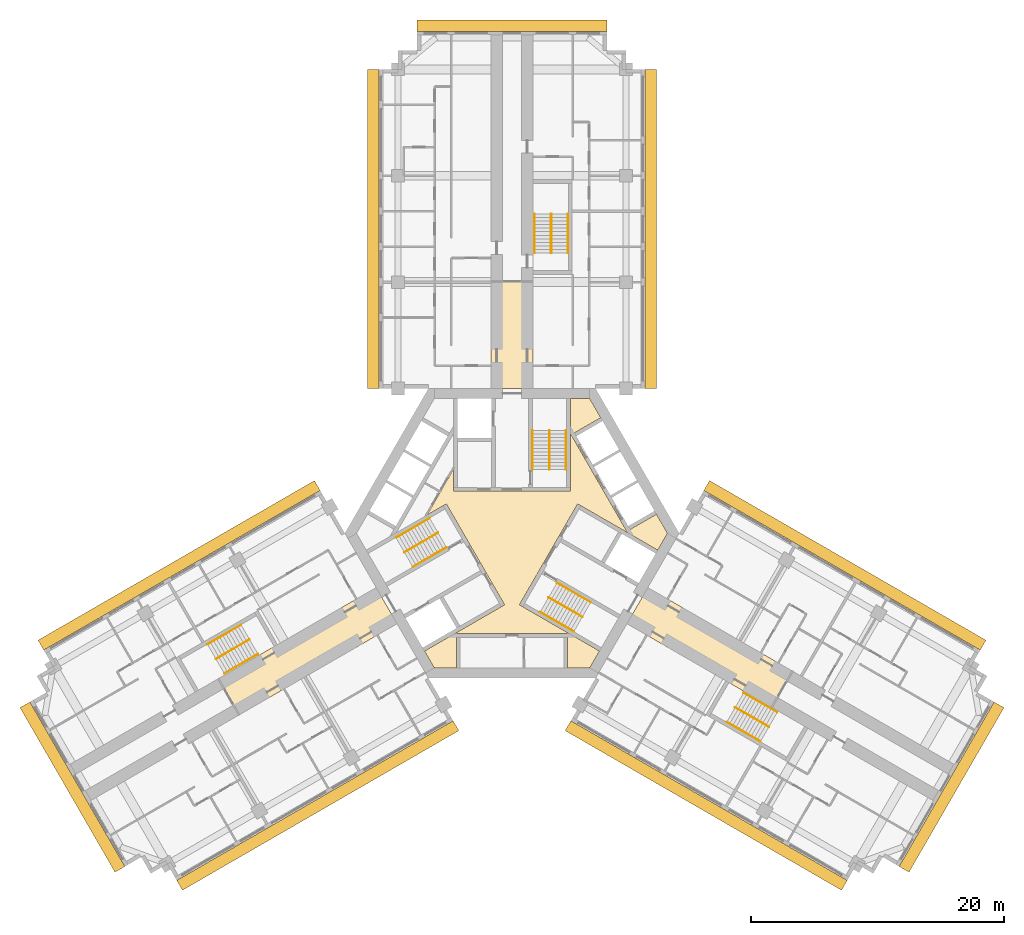
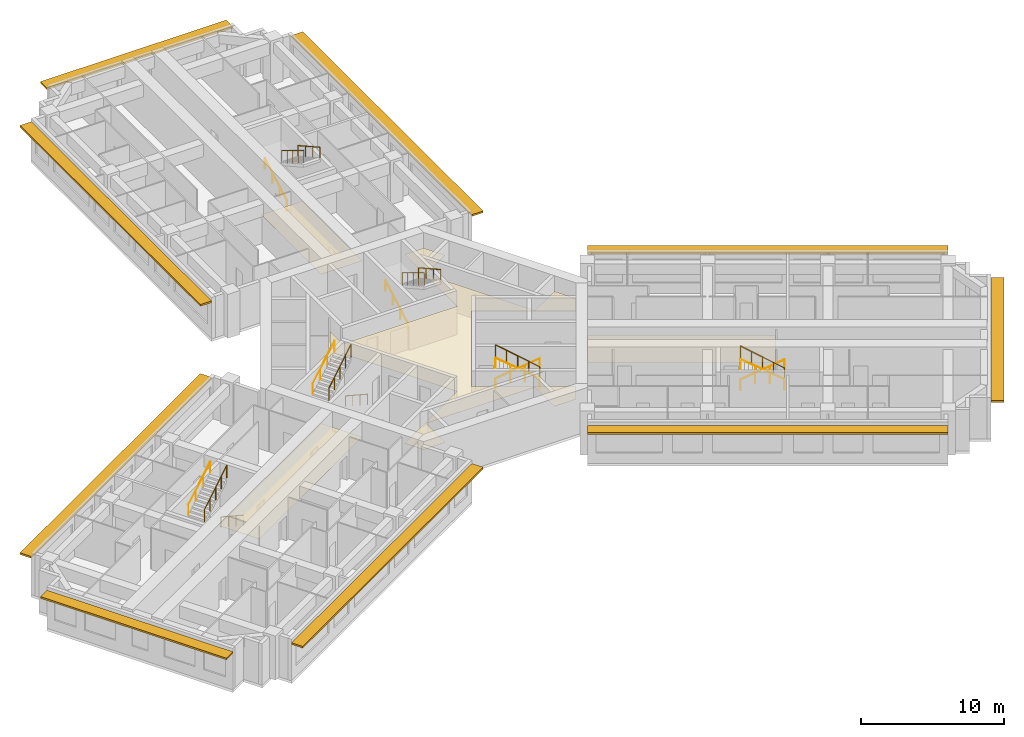
# One storey, part 12 of 12: 18 railings, 4 coverings, 3 shading devices.
"""IFC4 building model written with IfcOpenShell, lengths in metres."""

from ifc_helpers import new_model, si_unit, direction, frame, origin, origin_2d, place, context, subcontext, project, spatial, polyline, rectangle, circle, outline, extrude, material, layer, layer_set, type_object, element, save


model = new_model("IFC4")

# Units and contexts
model_context = context("Model", 3, precision=1e-05, world=origin(), true_north=direction((0.0, 1.0)))
body_context = subcontext(model_context, "Body", "Model", "MODEL_VIEW")
ifc_project = project(units=[si_unit("LENGTHUNIT", "METRE"), si_unit("AREAUNIT", "SQUARE_METRE"), si_unit("VOLUMEUNIT", "CUBIC_METRE"), si_unit("PLANEANGLEUNIT", "RADIAN"), si_unit("MASSUNIT", "GRAM", prefix="KILO")], contexts=[model_context])

# Site, building, storey
site_placement = place(None, origin())
site = spatial("IfcSite", under=ifc_project, at=site_placement, CompositionType="ELEMENT")
building_placement = place(site_placement, origin())
building = spatial("IfcBuilding", under=site, at=building_placement, Name="Impinga Residences", CompositionType="ELEMENT")
storey_placement = place(building_placement, frame((0.0, 0.0, 173.5)))
storey = spatial("IfcBuildingStorey", under=building, at=storey_placement, Name="L43", CompositionType="ELEMENT", Elevation=173.5)

# Coverings
ifc_material_1 = material(Name="Plasterboard 15 mm on steel hangers", Category="steel")
ifc_layer_1 = layer(ifc_material_1, 0.014892578125)
ifc_layer_set_1 = layer_set([ifc_layer_1], Name="Plasterboard 15 mm on steel hangers")
covering_type_1 = type_object("IfcCoveringType", Name="CL1 corridor ceiling, 15 mm plasterboard on hangers", PredefinedType="CEILING", material=ifc_layer_set_1)
covering_1_placement = place(storey_placement, frame((0.0, 0.0, 2.39990234375)))
element("IfcCovering", 1, at=covering_1_placement, inside=storey, type_object=covering_type_1, Name="Corridor ceiling CL1 L43-N00", PredefinedType="CEILING", context=body_context, shape_type="SweptSolid", body=[
    extrude(outline(polyline([(1.64990234375, 11.431640625), (-1.64990234375, 11.431640625), (-1.64990234375, 19.83203125), (1.64990234375, 19.83203125), (1.64990234375, 11.431640625)])), origin(), (0.0, 0.0, 1.0), 0.01513671875),
])
covering_2_placement = place(storey_placement, frame((0.0, 0.0, 2.39990234375)))
element("IfcCovering", 2, at=covering_2_placement, inside=storey, type_object=covering_type_1, Name="Corridor ceiling CL1 L43-W00", PredefinedType="CEILING", context=body_context, shape_type="SweptSolid", body=[
    extrude(outline(polyline([(-9.074951171875, -7.144775390625), (-10.72509765625, -4.286865234375), (-23.15234375, -11.4619140625), (-21.50244140625, -14.31982421875), (-9.074951171875, -7.144775390625)])), origin(), (0.0, 0.0, 1.0), 0.01513671875),
])
covering_3_placement = place(storey_placement, frame((0.0, 0.0, 2.39990234375)))
element("IfcCovering", 3, at=covering_3_placement, inside=storey, type_object=covering_type_1, Name="Corridor ceiling CL1 L43-E00", PredefinedType="CEILING", context=body_context, shape_type="SweptSolid", body=[
    extrude(outline(polyline([(10.72509765625, -4.286865234375), (9.074951171875, -7.144775390625), (20.463134765625, -13.7197265625), (22.11328125, -10.86181640625), (10.72509765625, -4.286865234375)])), origin(), (0.0, 0.0, 1.0), 0.01513671875),
])
ifc_material_2 = material(Name="Mineral fibre tiles 20 mm on exposed grid", Category="mineral fibre")
ifc_layer_2 = layer(ifc_material_2, 0.02001953125)
ifc_layer_set_2 = layer_set([ifc_layer_2], Name="CL2 lift lobby ceiling, 20 mm mineral fibre tiles")
covering_type_2 = type_object("IfcCoveringType", Name="CL2 lift lobby ceiling, 20 mm mineral fibre tiles", PredefinedType="CEILING", material=ifc_layer_set_2)
covering_4_placement = place(storey_placement, frame((0.0, 0.0, 2.39990234375)))
element("IfcCovering", 4, at=covering_4_placement, inside=storey, type_object=covering_type_2, Name="Lift lobby ceiling CL2 L43-C01", PredefinedType="CEILING", context=body_context, shape_type="SweptSolid", body=[
    extrude(outline(polyline([(5.183837890625, 2.318603515625), (0.583984375, -5.648681640625), (6.9072265625, -9.299560546875), (6.13818359375, -10.631591796875), (4.39990234375, -10.631591796875), (4.39990234375, -7.931640625), (-4.39990234375, -7.931640625), (-4.39990234375, -10.631591796875), (-6.13818359375, -10.631591796875), (-6.9072265625, -9.299560546875), (-0.583984375, -5.648681640625), (-5.183837890625, 2.318603515625), (-6.712890625, 1.435791015625), (-4.60009765625, 5.095703125), (-4.60009765625, 3.330078125), (4.60009765625, 3.330078125), (4.60009765625, 10.631591796875), (6.13818359375, 10.631591796875), (7.007080078125, 9.126220703125), (4.6689453125, 7.7763671875), (9.06884765625, 0.1552734375), (11.4072265625, 1.50537109375), (12.276123046875, 0.0), (11.507080078125, -1.33203125), (5.183837890625, 2.318603515625)])), origin(), (0.0, 0.0, 1.0), 0.02001953125),
])

# Railings
ifc_material_3 = material(Name="Steel guard, powder coated", Category="steel")
railing_type_1 = type_object("IfcRailingType", Name="GR1 stair guard 1100", PredefinedType="GUARDRAIL", material=ifc_material_3)
railing_1_placement = place(storey_placement, frame((2.949951171875, 8.110107421875, 1.875)))
element("IfcRailing", 5, at=railing_1_placement, inside=storey, type_object=railing_type_1, Name="Stair guard GR1 ST1 L43", PredefinedType="GUARDRAIL", context=body_context, shape_type="SweptSolid", body=[
    extrude(circle(Radius=0.02392578125, at=origin_2d()), frame((0.0, 0.0, 1.076171875), z_axis=(0.0, -0.854177636135, 0.519981313056), x_axis=(1.0, 0.0, 0.0)), (0.0, 0.0, 1.0), 3.60595703125),
    extrude(circle(Radius=0.02099609375, at=origin_2d()), origin(), (0.0, 0.0, 1.0), 1.052001953125),
    extrude(circle(Radius=0.02099609375, at=origin_2d()), frame((0.0, -0.77001953125, 0.46875)), (0.0, 0.0, 1.0), 1.052001953125),
    extrude(circle(Radius=0.02099609375, at=origin_2d()), frame((0.0, -1.5400390625, 0.9375)), (0.0, 0.0, 1.0), 1.052001953125),
    extrude(circle(Radius=0.02099609375, at=origin_2d()), frame((0.0, -2.31005859375, 1.40625)), (0.0, 0.0, 1.0), 1.052001953125),
    extrude(circle(Radius=0.02099609375, at=origin_2d()), frame((0.0, -3.080078125, 1.875)), (0.0, 0.0, 1.0), 1.052001953125),
])
railing_2_placement = place(storey_placement, frame((-8.49853515625, -1.500244140625, 1.875)))
element("IfcRailing", 6, at=railing_2_placement, inside=storey, type_object=railing_type_1, Name="Stair guard GR1 ST2 L43", PredefinedType="GUARDRAIL", context=body_context, shape_type="SweptSolid", body=[
    extrude(circle(Radius=0.02392578125, at=origin_2d()), frame((0.0, 0.0, 1.076171875), z_axis=(0.739746383972, 0.427084037168, 0.519975492303), x_axis=(-0.499992328818, 0.866029832698, 0.0)), (0.0, 0.0, 1.0), 3.60595703125),
    extrude(circle(Radius=0.02099609375, at=origin_2d()), origin(), (0.0, 0.0, 1.0), 1.052001953125),
    extrude(circle(Radius=0.02099609375, at=origin_2d()), frame((0.6669921875, 0.385009765625, 0.46875)), (0.0, 0.0, 1.0), 1.052001953125),
    extrude(circle(Radius=0.02099609375, at=origin_2d()), frame((1.333740234375, 0.77001953125, 0.9375)), (0.0, 0.0, 1.0), 1.052001953125),
    extrude(circle(Radius=0.02099609375, at=origin_2d()), frame((2.00048828125, 1.155029296875, 1.40625)), (0.0, 0.0, 1.0), 1.052001953125),
    extrude(circle(Radius=0.02099609375, at=origin_2d()), frame((2.66748046875, 1.5400390625, 1.875)), (0.0, 0.0, 1.0), 1.052001953125),
])
railing_3_placement = place(storey_placement, frame((5.548583984375, -6.60986328125, 1.875)))
element("IfcRailing", 7, at=railing_3_placement, inside=storey, type_object=railing_type_1, Name="Stair guard GR1 ST3 L43", PredefinedType="GUARDRAIL", context=body_context, shape_type="SweptSolid", body=[
    extrude(circle(Radius=0.02392578125, at=origin_2d()), frame((0.0, 0.0, 1.076171875), z_axis=(-0.739746383972, 0.427084037168, 0.519975492303), x_axis=(-0.499992328818, -0.866029832698, 0.0)), (0.0, 0.0, 1.0), 3.60595703125),
    extrude(circle(Radius=0.02099609375, at=origin_2d()), origin(), (0.0, 0.0, 1.0), 1.052001953125),
    extrude(circle(Radius=0.02099609375, at=origin_2d()), frame((-0.6669921875, 0.385009765625, 0.46875)), (0.0, 0.0, 1.0), 1.052001953125),
    extrude(circle(Radius=0.02099609375, at=origin_2d()), frame((-1.333740234375, 0.77001953125, 0.9375)), (0.0, 0.0, 1.0), 1.052001953125),
    extrude(circle(Radius=0.02099609375, at=origin_2d()), frame((-2.00048828125, 1.155029296875, 1.40625)), (0.0, 0.0, 1.0), 1.052001953125),
    extrude(circle(Radius=0.02099609375, at=origin_2d()), frame((-2.66748046875, 1.5400390625, 1.875)), (0.0, 0.0, 1.0), 1.052001953125),
])
railing_4_placement = place(storey_placement, frame((3.10009765625, 25.21142578125, 1.875)))
element("IfcRailing", 8, at=railing_4_placement, inside=storey, type_object=railing_type_1, Name="Stair guard GR1 WS1 L43", PredefinedType="GUARDRAIL", context=body_context, shape_type="SweptSolid", body=[
    extrude(circle(Radius=0.02392578125, at=origin_2d()), frame((0.0, 0.0, 1.076171875), z_axis=(0.0, -0.854159328187, 0.520011386482), x_axis=(1.0, 0.0, 0.0)), (0.0, 0.0, 1.0), 3.605712890625),
    extrude(circle(Radius=0.02099609375, at=origin_2d()), origin(), (0.0, 0.0, 1.0), 1.052001953125),
    extrude(circle(Radius=0.02099609375, at=origin_2d()), frame((0.0, -0.77001953125, 0.46875)), (0.0, 0.0, 1.0), 1.052001953125),
    extrude(circle(Radius=0.02099609375, at=origin_2d()), frame((0.0, -1.5400390625, 0.9375)), (0.0, 0.0, 1.0), 1.052001953125),
    extrude(circle(Radius=0.02099609375, at=origin_2d()), frame((0.0, -2.309814453125, 1.40625)), (0.0, 0.0, 1.0), 1.052001953125),
    extrude(circle(Radius=0.02099609375, at=origin_2d()), frame((0.0, -3.079833984375, 1.875)), (0.0, 0.0, 1.0), 1.052001953125),
])
railing_5_placement = place(storey_placement, frame((-23.3837890625, -9.921142578125, 1.875)))
element("IfcRailing", 9, at=railing_5_placement, inside=storey, type_object=railing_type_1, Name="Stair guard GR1 WS2 L43", PredefinedType="GUARDRAIL", context=body_context, shape_type="SweptSolid", body=[
    extrude(circle(Radius=0.02392578125, at=origin_2d()), frame((0.0, 0.0, 1.076171875), z_axis=(0.739715726454, 0.427105428144, 0.52000153585), x_axis=(-0.500026652407, 0.866010015463, 0.0)), (0.0, 0.0, 1.0), 3.605712890625),
    extrude(circle(Radius=0.02099609375, at=origin_2d()), origin(), (0.0, 0.0, 1.0), 1.052001953125),
    extrude(circle(Radius=0.02099609375, at=origin_2d()), frame((0.666748046875, 0.385009765625, 0.46875)), (0.0, 0.0, 1.0), 1.052001953125),
    extrude(circle(Radius=0.02099609375, at=origin_2d()), frame((1.33349609375, 0.77001953125, 0.9375)), (0.0, 0.0, 1.0), 1.052001953125),
    extrude(circle(Radius=0.02099609375, at=origin_2d()), frame((2.00048828125, 1.155029296875, 1.40625)), (0.0, 0.0, 1.0), 1.052001953125),
    extrude(circle(Radius=0.02099609375, at=origin_2d()), frame((2.667236328125, 1.5400390625, 1.875)), (0.0, 0.0, 1.0), 1.052001953125),
])
railing_6_placement = place(storey_placement, frame((20.283935546875, -15.29052734375, 1.875)))
element("IfcRailing", 10, at=railing_6_placement, inside=storey, type_object=railing_type_1, Name="Stair guard GR1 WS3 L43", PredefinedType="GUARDRAIL", context=body_context, shape_type="SweptSolid", body=[
    extrude(circle(Radius=0.02392578125, at=origin_2d()), frame((0.0, 0.0, 1.076171875), z_axis=(-0.739746383972, 0.427084037168, 0.519975492303), x_axis=(-0.499992328818, -0.866029832698, 0.0)), (0.0, 0.0, 1.0), 3.60595703125),
    extrude(circle(Radius=0.02099609375, at=origin_2d()), origin(), (0.0, 0.0, 1.0), 1.052001953125),
    extrude(circle(Radius=0.02099609375, at=origin_2d()), frame((-0.6669921875, 0.385009765625, 0.46875)), (0.0, 0.0, 1.0), 1.052001953125),
    extrude(circle(Radius=0.02099609375, at=origin_2d()), frame((-1.333740234375, 0.77001953125, 0.9375)), (0.0, 0.0, 1.0), 1.052001953125),
    extrude(circle(Radius=0.02099609375, at=origin_2d()), frame((-2.00048828125, 1.155029296875, 1.40625)), (0.0, 0.0, 1.0), 1.052001953125),
    extrude(circle(Radius=0.02099609375, at=origin_2d()), frame((-2.66748046875, 1.5400390625, 1.875)), (0.0, 0.0, 1.0), 1.052001953125),
])
ifc_material_4 = material(Name="Steel handrail tube 42 mm, powder coated", Category="steel")
railing_type_2 = type_object("IfcRailingType", Name="HR1 stair handrail, 42 mm steel tube, 900 above the pitch line", PredefinedType="HANDRAIL", material=ifc_material_4)
railing_7_placement = place(storey_placement, frame((1.62109375, 5.030029296875, 0.15625)))
element("IfcRailing", 11, at=railing_7_placement, inside=storey, type_object=railing_type_2, Name="Stair handrail HR1 ST1 L43", PredefinedType="HANDRAIL", context=body_context, shape_type="SweptSolid", body=[
    extrude(circle(Radius=0.02099609375, at=origin_2d()), frame((0.0, 0.0, 0.87890625), z_axis=(0.0, 0.873241540666, 0.487287606713), x_axis=(-1.0, 0.0, 0.0)), (0.0, 0.0, 1.0), 3.527099609375),
    extrude(circle(Radius=0.012451171875, at=origin_2d()), origin(), (0.0, 0.0, 1.0), 0.85791015625),
    extrude(circle(Radius=0.012451171875, at=origin_2d()), frame((0.0, 1.026611328125, 0.572998046875)), (0.0, 0.0, 1.0), 0.85791015625),
    extrude(circle(Radius=0.012451171875, at=origin_2d()), frame((0.0, 2.053466796875, 1.145751953125)), (0.0, 0.0, 1.0), 0.85791015625),
    extrude(circle(Radius=0.012451171875, at=origin_2d()), frame((0.0, 3.080078125, 1.71875)), (0.0, 0.0, 1.0), 0.85791015625),
])
railing_8_placement = place(storey_placement, frame((4.279052734375, 8.110107421875, 2.03125)))
element("IfcRailing", 12, at=railing_8_placement, inside=storey, type_object=railing_type_2, Name="Stair handrail HR1 ST1 L43", PredefinedType="HANDRAIL", context=body_context, shape_type="SweptSolid", body=[
    extrude(circle(Radius=0.02099609375, at=origin_2d()), frame((0.0, 0.0, 0.87890625), z_axis=(0.0, -0.873241540666, 0.487287606713), x_axis=(1.0, 0.0, 0.0)), (0.0, 0.0, 1.0), 3.527099609375),
    extrude(circle(Radius=0.012451171875, at=origin_2d()), origin(), (0.0, 0.0, 1.0), 0.85791015625),
    extrude(circle(Radius=0.012451171875, at=origin_2d()), frame((0.0, -1.026611328125, 0.572998046875)), (0.0, 0.0, 1.0), 0.85791015625),
    extrude(circle(Radius=0.012451171875, at=origin_2d()), frame((0.0, -2.053466796875, 1.145751953125)), (0.0, 0.0, 1.0), 0.85791015625),
    extrude(circle(Radius=0.012451171875, at=origin_2d()), frame((0.0, -3.080078125, 1.71875)), (0.0, 0.0, 1.0), 0.85791015625),
])
railing_9_placement = place(storey_placement, frame((-5.16650390625, -1.111083984375, 0.15625)))
element("IfcRailing", 13, at=railing_9_placement, inside=storey, type_object=railing_type_2, Name="Stair handrail HR1 ST2 L43", PredefinedType="HANDRAIL", context=body_context, shape_type="SweptSolid", body=[
    extrude(circle(Radius=0.02099609375, at=origin_2d()), frame((0.0, 0.0, 0.87890625), z_axis=(-0.756255980417, -0.436615662133, 0.487281905742), x_axis=(0.499992328818, -0.866029832698, 0.0)), (0.0, 0.0, 1.0), 3.527099609375),
    extrude(circle(Radius=0.012451171875, at=origin_2d()), origin(), (0.0, 0.0, 1.0), 0.85791015625),
    extrude(circle(Radius=0.012451171875, at=origin_2d()), frame((-0.88916015625, -0.513427734375, 0.572998046875)), (0.0, 0.0, 1.0), 0.85791015625),
    extrude(circle(Radius=0.012451171875, at=origin_2d()), frame((-1.7783203125, -1.026611328125, 1.145751953125)), (0.0, 0.0, 1.0), 0.85791015625),
    extrude(circle(Radius=0.012451171875, at=origin_2d()), frame((-2.66748046875, -1.5400390625, 1.71875)), (0.0, 0.0, 1.0), 0.85791015625),
])
railing_10_placement = place(storey_placement, frame((-9.1630859375, -0.349365234375, 2.03125)))
element("IfcRailing", 14, at=railing_10_placement, inside=storey, type_object=railing_type_2, Name="Stair handrail HR1 ST2 L43", PredefinedType="HANDRAIL", context=body_context, shape_type="SweptSolid", body=[
    extrude(circle(Radius=0.02099609375, at=origin_2d()), frame((0.0, 0.0, 0.87890625), z_axis=(0.756255980417, 0.436615662133, 0.487281905742), x_axis=(-0.499992328818, 0.866029832698, 0.0)), (0.0, 0.0, 1.0), 3.527099609375),
    extrude(circle(Radius=0.012451171875, at=origin_2d()), origin(), (0.0, 0.0, 1.0), 0.85791015625),
    extrude(circle(Radius=0.012451171875, at=origin_2d()), frame((0.88916015625, 0.513427734375, 0.572998046875)), (0.0, 0.0, 1.0), 0.85791015625),
    extrude(circle(Radius=0.012451171875, at=origin_2d()), frame((1.7783203125, 1.026611328125, 1.145751953125)), (0.0, 0.0, 1.0), 0.85791015625),
    extrude(circle(Radius=0.012451171875, at=origin_2d()), frame((2.66748046875, 1.5400390625, 1.71875)), (0.0, 0.0, 1.0), 0.85791015625),
])
railing_11_placement = place(storey_placement, frame((3.545654296875, -3.9189453125, 0.15625)))
element("IfcRailing", 15, at=railing_11_placement, inside=storey, type_object=railing_type_2, Name="Stair handrail HR1 ST3 L43", PredefinedType="HANDRAIL", context=body_context, shape_type="SweptSolid", body=[
    extrude(circle(Radius=0.02099609375, at=origin_2d()), frame((0.0, 0.0, 0.87890625), z_axis=(0.756249203677, -0.436582492228, 0.487322141317), x_axis=(0.499967199496, 0.866044340336, 0.0)), (0.0, 0.0, 1.0), 3.52685546875),
    extrude(circle(Radius=0.012451171875, at=origin_2d()), origin(), (0.0, 0.0, 1.0), 0.85791015625),
    extrude(circle(Radius=0.012451171875, at=origin_2d()), frame((0.88916015625, -0.51318359375, 0.572998046875)), (0.0, 0.0, 1.0), 0.85791015625),
    extrude(circle(Radius=0.012451171875, at=origin_2d()), frame((1.778076171875, -1.026611328125, 1.145751953125)), (0.0, 0.0, 1.0), 0.85791015625),
    extrude(circle(Radius=0.012451171875, at=origin_2d()), frame((2.667236328125, -1.539794921875, 1.71875)), (0.0, 0.0, 1.0), 0.85791015625),
])
railing_12_placement = place(storey_placement, frame((4.884033203125, -7.7607421875, 2.03125)))
element("IfcRailing", 16, at=railing_12_placement, inside=storey, type_object=railing_type_2, Name="Stair handrail HR1 ST3 L43", PredefinedType="HANDRAIL", context=body_context, shape_type="SweptSolid", body=[
    extrude(circle(Radius=0.02099609375, at=origin_2d()), frame((0.0, 0.0, 0.87890625), z_axis=(-0.756255980417, 0.436615662133, 0.487281905742), x_axis=(-0.499992328818, -0.866029832698, 0.0)), (0.0, 0.0, 1.0), 3.527099609375),
    extrude(circle(Radius=0.012451171875, at=origin_2d()), origin(), (0.0, 0.0, 1.0), 0.85791015625),
    extrude(circle(Radius=0.012451171875, at=origin_2d()), frame((-0.88916015625, 0.513427734375, 0.572998046875)), (0.0, 0.0, 1.0), 0.85791015625),
    extrude(circle(Radius=0.012451171875, at=origin_2d()), frame((-1.7783203125, 1.026611328125, 1.145751953125)), (0.0, 0.0, 1.0), 0.85791015625),
    extrude(circle(Radius=0.012451171875, at=origin_2d()), frame((-2.66748046875, 1.5400390625, 1.71875)), (0.0, 0.0, 1.0), 0.85791015625),
])
railing_13_placement = place(storey_placement, frame((1.77099609375, 22.131591796875, 0.15625)))
element("IfcRailing", 17, at=railing_13_placement, inside=storey, type_object=railing_type_2, Name="Stair handrail HR1 WS1 L43", PredefinedType="HANDRAIL", context=body_context, shape_type="SweptSolid", body=[
    extrude(circle(Radius=0.02099609375, at=origin_2d()), frame((0.0, 0.0, 0.87890625), z_axis=(0.0, 0.873225103656, 0.487317061414), x_axis=(-1.0, 0.0, 0.0)), (0.0, 0.0, 1.0), 3.52685546875),
    extrude(circle(Radius=0.012451171875, at=origin_2d()), origin(), (0.0, 0.0, 1.0), 0.85791015625),
    extrude(circle(Radius=0.012451171875, at=origin_2d()), frame((0.0, 1.026611328125, 0.572998046875)), (0.0, 0.0, 1.0), 0.85791015625),
    extrude(circle(Radius=0.012451171875, at=origin_2d()), frame((0.0, 2.05322265625, 1.145751953125)), (0.0, 0.0, 1.0), 0.85791015625),
    extrude(circle(Radius=0.012451171875, at=origin_2d()), frame((0.0, 3.079833984375, 1.71875)), (0.0, 0.0, 1.0), 0.85791015625),
])
railing_14_placement = place(storey_placement, frame((4.428955078125, 25.21142578125, 2.03125)))
element("IfcRailing", 18, at=railing_14_placement, inside=storey, type_object=railing_type_2, Name="Stair handrail HR1 WS1 L43", PredefinedType="HANDRAIL", context=body_context, shape_type="SweptSolid", body=[
    extrude(circle(Radius=0.02099609375, at=origin_2d()), frame((0.0, 0.0, 0.87890625), z_axis=(0.0, -0.873225103656, 0.487317061414), x_axis=(1.0, 0.0, 0.0)), (0.0, 0.0, 1.0), 3.52685546875),
    extrude(circle(Radius=0.012451171875, at=origin_2d()), origin(), (0.0, 0.0, 1.0), 0.85791015625),
    extrude(circle(Radius=0.012451171875, at=origin_2d()), frame((0.0, -1.026611328125, 0.572998046875)), (0.0, 0.0, 1.0), 0.85791015625),
    extrude(circle(Radius=0.012451171875, at=origin_2d()), frame((0.0, -2.05322265625, 1.145751953125)), (0.0, 0.0, 1.0), 0.85791015625),
    extrude(circle(Radius=0.012451171875, at=origin_2d()), frame((0.0, -3.079833984375, 1.71875)), (0.0, 0.0, 1.0), 0.85791015625),
])
railing_15_placement = place(storey_placement, frame((-20.052001953125, -9.531982421875, 0.15625)))
element("IfcRailing", 19, at=railing_15_placement, inside=storey, type_object=railing_type_2, Name="Stair handrail HR1 WS2 L43", PredefinedType="HANDRAIL", context=body_context, shape_type="SweptSolid", body=[
    extrude(circle(Radius=0.02099609375, at=origin_2d()), frame((0.0, 0.0, 0.87890625), z_axis=(-0.756226348243, -0.436638517594, 0.487307413422), x_axis=(0.500026652407, -0.866010015463, 0.0)), (0.0, 0.0, 1.0), 3.527099609375),
    extrude(circle(Radius=0.012451171875, at=origin_2d()), origin(), (0.0, 0.0, 1.0), 0.85791015625),
    extrude(circle(Radius=0.012451171875, at=origin_2d()), frame((-0.88916015625, -0.513427734375, 0.572998046875)), (0.0, 0.0, 1.0), 0.85791015625),
    extrude(circle(Radius=0.012451171875, at=origin_2d()), frame((-1.778076171875, -1.026611328125, 1.145751953125)), (0.0, 0.0, 1.0), 0.85791015625),
    extrude(circle(Radius=0.012451171875, at=origin_2d()), frame((-2.667236328125, -1.5400390625, 1.71875)), (0.0, 0.0, 1.0), 0.85791015625),
])
railing_16_placement = place(storey_placement, frame((-24.04833984375, -8.77001953125, 2.03125)))
element("IfcRailing", 20, at=railing_16_placement, inside=storey, type_object=railing_type_2, Name="Stair handrail HR1 WS2 L43", PredefinedType="HANDRAIL", context=body_context, shape_type="SweptSolid", body=[
    extrude(circle(Radius=0.02099609375, at=origin_2d()), frame((0.0, 0.0, 0.87890625), z_axis=(0.756278834354, 0.436559638319, 0.487296631324), x_axis=(-0.499932877268, 0.866064153644, 0.0)), (0.0, 0.0, 1.0), 3.527099609375),
    extrude(circle(Radius=0.012451171875, at=origin_2d()), origin(), (0.0, 0.0, 1.0), 0.85791015625),
    extrude(circle(Radius=0.012451171875, at=origin_2d()), frame((0.88916015625, 0.51318359375, 0.572998046875)), (0.0, 0.0, 1.0), 0.85791015625),
    extrude(circle(Radius=0.012451171875, at=origin_2d()), frame((1.7783203125, 1.026611328125, 1.145751953125)), (0.0, 0.0, 1.0), 0.85791015625),
    extrude(circle(Radius=0.012451171875, at=origin_2d()), frame((2.66748046875, 1.539794921875, 1.71875)), (0.0, 0.0, 1.0), 0.85791015625),
])
railing_17_placement = place(storey_placement, frame((18.281005859375, -12.599609375, 0.15625)))
element("IfcRailing", 21, at=railing_17_placement, inside=storey, type_object=railing_type_2, Name="Stair handrail HR1 WS3 L43", PredefinedType="HANDRAIL", context=body_context, shape_type="SweptSolid", body=[
    extrude(circle(Radius=0.02099609375, at=origin_2d()), frame((0.0, 0.0, 0.87890625), z_axis=(0.756249203677, -0.436582492228, 0.487322141317), x_axis=(0.499967199496, 0.866044340336, 0.0)), (0.0, 0.0, 1.0), 3.52685546875),
    extrude(circle(Radius=0.012451171875, at=origin_2d()), origin(), (0.0, 0.0, 1.0), 0.85791015625),
    extrude(circle(Radius=0.012451171875, at=origin_2d()), frame((0.88916015625, -0.51318359375, 0.572998046875)), (0.0, 0.0, 1.0), 0.85791015625),
    extrude(circle(Radius=0.012451171875, at=origin_2d()), frame((1.778076171875, -1.026611328125, 1.145751953125)), (0.0, 0.0, 1.0), 0.85791015625),
    extrude(circle(Radius=0.012451171875, at=origin_2d()), frame((2.667236328125, -1.539794921875, 1.71875)), (0.0, 0.0, 1.0), 0.85791015625),
])
railing_18_placement = place(storey_placement, frame((19.619384765625, -16.44140625, 2.03125)))
element("IfcRailing", 22, at=railing_18_placement, inside=storey, type_object=railing_type_2, Name="Stair handrail HR1 WS3 L43", PredefinedType="HANDRAIL", context=body_context, shape_type="SweptSolid", body=[
    extrude(circle(Radius=0.02099609375, at=origin_2d()), frame((0.0, 0.0, 0.87890625), z_axis=(-0.756255980417, 0.436615662133, 0.487281905742), x_axis=(-0.499992328818, -0.866029832698, 0.0)), (0.0, 0.0, 1.0), 3.527099609375),
    extrude(circle(Radius=0.012451171875, at=origin_2d()), origin(), (0.0, 0.0, 1.0), 0.85791015625),
    extrude(circle(Radius=0.012451171875, at=origin_2d()), frame((-0.88916015625, 0.513427734375, 0.572998046875)), (0.0, 0.0, 1.0), 0.85791015625),
    extrude(circle(Radius=0.012451171875, at=origin_2d()), frame((-1.7783203125, 1.026611328125, 1.145751953125)), (0.0, 0.0, 1.0), 0.85791015625),
    extrude(circle(Radius=0.012451171875, at=origin_2d()), frame((-2.66748046875, 1.5400390625, 1.71875)), (0.0, 0.0, 1.0), 0.85791015625),
])

# Shading devices
ifc_material_5 = material(Name="Terracotta sunshade blades on aluminium brackets", Category="masonry")
ifc_layer_3 = layer(ifc_material_5, 0.14990234375)
ifc_layer_set_3 = layer_set([ifc_layer_3], Name="SS1 SUNSHADE terracotta sunshade band 900")
shading_device_type = type_object("IfcShadingDeviceType", Name="SS1 SUNSHADE terracotta sunshade band 900", PredefinedType="USERDEFINED", material=ifc_layer_set_3)
shading_device_1_placement = place(storey_placement, frame((-10.949951171875, 24.031494140625, 3.10009765625), z_axis=(0.0, 0.0, 1.0), x_axis=(0.0, 1.0, 0.0)))
element("IfcShadingDevice", 23, at=shading_device_1_placement, inside=storey, type_object=shading_device_type, Name="SUNSHADE band L43 NORTH WING", ObjectType="SUNSHADE", PredefinedType="USERDEFINED", context=body_context, shape_type="SweptSolid", body=[
    extrude(rectangle(XDim=25.199951171875, YDim=0.89990234375, at=origin_2d()), origin(), (0.0, 0.0, 1.0), 0.14990234375),
    extrude(rectangle(XDim=15.0, YDim=0.89990234375, at=origin_2d()), frame((16.050048828125, -10.949951171875, 0.0), z_axis=(0.0, 0.0, 1.0), x_axis=(0.0, -1.0, 0.0)), (0.0, 0.0, 1.0), 0.14990234375),
    extrude(rectangle(XDim=25.199951171875, YDim=0.89990234375, at=origin_2d()), frame((0.0, -21.89990234375, 0.0), z_axis=(0.0, 0.0, 1.0), x_axis=(-1.0, 0.0, 0.0)), (0.0, 0.0, 1.0), 0.14990234375),
])
shading_device_2_placement = place(storey_placement, frame((-34.711669921875, -20.040771484375, 3.10009765625), z_axis=(0.0, 0.0, 1.0), x_axis=(-0.5, 0.866025403784, 0.0)))
element("IfcShadingDevice", 24, at=shading_device_2_placement, inside=storey, type_object=shading_device_type, Name="SUNSHADE band L43 WEST WING", ObjectType="SUNSHADE", PredefinedType="USERDEFINED", context=body_context, shape_type="SweptSolid", body=[
    extrude(rectangle(XDim=15.0, YDim=0.89990234375, at=origin_2d()), origin(), (0.0, 0.0, 1.0), 0.14990234375),
    extrude(rectangle(XDim=25.199951171875, YDim=0.89990234375, at=origin_2d()), frame((10.949951171875, -16.050048828125, 0.0), z_axis=(0.0, 0.0, 1.0), x_axis=(0.0, -1.0, 0.0)), (0.0, 0.0, 1.0), 0.14990234375),
    extrude(rectangle(XDim=25.199951171875, YDim=0.89990234375, at=origin_2d()), frame((-10.949951171875, -16.050048828125, 0.0), z_axis=(0.0, 0.0, 1.0), x_axis=(0.0, 1.0, 0.0)), (0.0, 0.0, 1.0), 0.14990234375),
])
shading_device_3_placement = place(storey_placement, frame((26.286865234375, -2.53271484375, 3.10009765625), z_axis=(0.0, 0.0, 1.0), x_axis=(0.866025403784, -0.5, 0.0)))
element("IfcShadingDevice", 25, at=shading_device_3_placement, inside=storey, type_object=shading_device_type, Name="SUNSHADE band L43 EAST WING", ObjectType="SUNSHADE", PredefinedType="USERDEFINED", context=body_context, shape_type="SweptSolid", body=[
    extrude(rectangle(XDim=25.199951171875, YDim=0.89990234375, at=origin_2d()), origin(), (0.0, 0.0, 1.0), 0.14990234375),
    extrude(rectangle(XDim=15.0, YDim=0.89990234375, at=origin_2d()), frame((16.050048828125, -10.949951171875, 0.0), z_axis=(0.0, 0.0, 1.0), x_axis=(0.0, -1.0, 0.0)), (0.0, 0.0, 1.0), 0.14990234375),
    extrude(rectangle(XDim=25.199951171875, YDim=0.89990234375, at=origin_2d()), frame((0.0, -21.900146484375, 0.0), z_axis=(0.0, 0.0, 1.0), x_axis=(-1.0, 0.0, 0.0)), (0.0, 0.0, 1.0), 0.14990234375),
])

save(model, "model.ifc")
